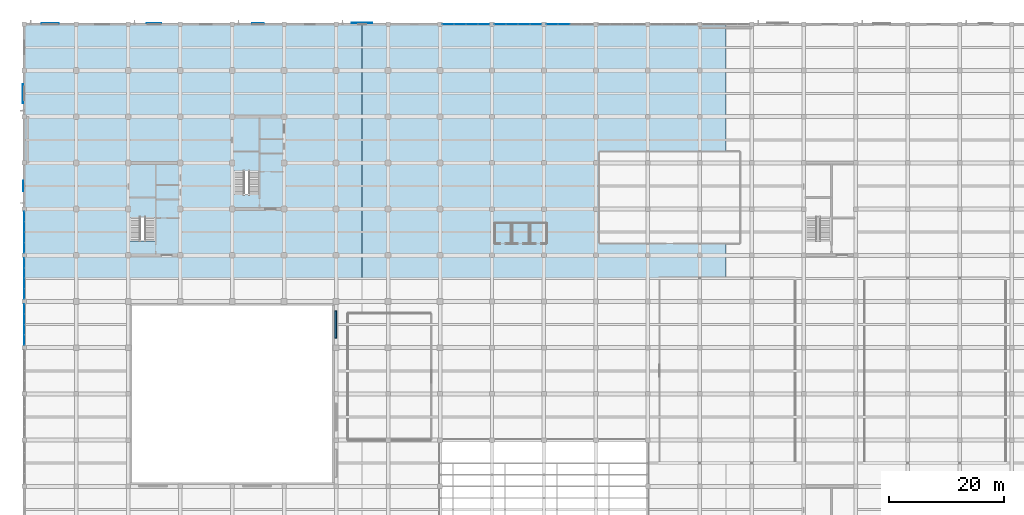
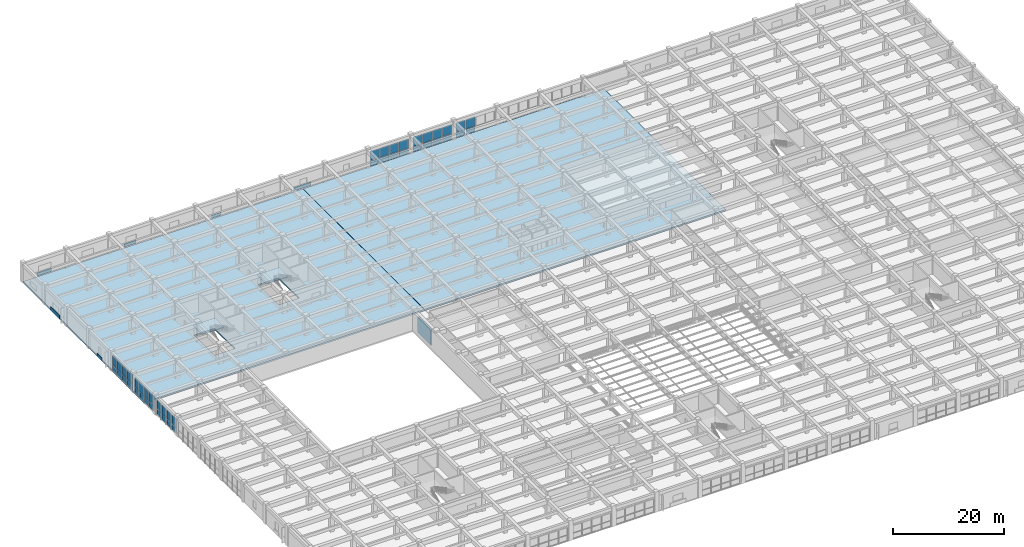
# One storey, part 23 of 50: 51 plates, 4 slabs, 8 elements without a shape of their own.
"""IFC4 building model written with IfcOpenShell, lengths in metres."""

from ifc_helpers import new_model, si_unit, direction, frame, frame_2d, origin, place, context, subcontext, project, spatial, polyline, rectangle, outline, extrude, material, layer, layer_set, type_object, element, aggregate, save


model = new_model("IFC4")

# Units and contexts
model_context = context("Model", 3, precision=1e-05, world=origin(), true_north=direction((0.0, 1.0)))
body_context = subcontext(model_context, "Body", "Model", "MODEL_VIEW")
ifc_project = project(units=[si_unit("LENGTHUNIT", "METRE"), si_unit("AREAUNIT", "SQUARE_METRE"), si_unit("VOLUMEUNIT", "CUBIC_METRE"), si_unit("PLANEANGLEUNIT", "RADIAN"), si_unit("MASSUNIT", "GRAM", prefix="KILO")], contexts=[model_context])

# Site, building, storey
site_placement = place(None, origin())
site = spatial("IfcSite", under=ifc_project, at=site_placement, CompositionType="ELEMENT")
building_placement = place(site_placement, origin())
building = spatial("IfcBuilding", under=site, at=building_placement, Name="Zaverband Oceanarium and Marine Research Institute", CompositionType="ELEMENT")
storey_placement = place(building_placement, frame((0.0, 0.0, 9.0)))
storey = spatial("IfcBuildingStorey", under=building, at=storey_placement, Name="L02", CompositionType="ELEMENT", Elevation=9.0)

# Plate
ifc_material_1 = material(Name="Monolithic cast polymethyl methacrylate (PMMA) viewing acrylic")
ifc_layer_1 = layer(ifc_material_1, 0.320068359375, Name="Monolithic cast polymethyl methacrylate (PMMA) viewing acrylic")
ifc_layer_set_1 = layer_set([ifc_layer_1], Name="Monolithic cast polymethyl methacrylate (PMMA) viewing acrylic")
plate_type_1 = type_object("IfcPlateType", Name="AP-4800x3400x320", PredefinedType="SHEET", material=ifc_layer_set_1)
plate_1_placement = place(storey_placement, frame((53.949951171875, 65.60009765625, 0.0), z_axis=(0.0, 0.0, 1.0), x_axis=(0.0, 1.0, 0.0)))
element("IfcPlate", 1, at=plate_1_placement, inside=storey, type_object=plate_type_1, Name="Monolithic cast-acrylic viewport / tunnel panel AP-4800x3400x320", PredefinedType="SHEET", context=body_context, shape_type="SweptSolid", body=[
    extrude(rectangle(XDim=4.7998046875, YDim=0.320068359375, at=frame_2d((2.39990234375, 0.0))), origin(), (0.0, 0.0, 1.0), 3.39990234375),
])

# Curtain wall, plates
ifc_material_2 = material(Name="Thermally broken anodized aluminium and solar-control glass", Category="aluminium")
curtain_wall_type = type_object("IfcCurtainWallType", Name="CW-UNIT-1800", PredefinedType="NOTDEFINED", material=ifc_material_2)
curtain_wall_1_placement = place(storey_placement, origin())
curtain_wall_1 = element("IfcCurtainWall", 2, at=curtain_wall_1_placement, inside=storey, type_object=curtain_wall_type, Name="Unitised glazed curtain wall CW-055", PredefinedType="NOTDEFINED")
ifc_material_3 = material(Name="Low-E double-glazed solar-control glass", Category="glass")
ifc_layer_2 = layer(ifc_material_3, 0.033935546875, Name="Low-E double-glazed solar-control glass")
ifc_layer_set_2 = layer_set([ifc_layer_2], Name="Low-E double-glazed solar-control glass")
plate_type_2 = type_object("IfcPlateType", Name="CWP-1515x1197", PredefinedType="CURTAIN_PANEL", material=ifc_layer_set_2)
plate_2_placement = place(storey_placement, frame((0.0, 64.485107421875, 0.050048828125), z_axis=(0.0, 0.0, 1.0), x_axis=(0.0, 1.0, 0.0)))
plate_2 = element("IfcPlate", 3, at=plate_2_placement, type_object=plate_type_2, Name="Glazed curtain wall panel CWP-1515x1197", PredefinedType="CURTAIN_PANEL", context=body_context, shape_type="SweptSolid", body=[
    extrude(rectangle(XDim=1.637451171875, YDim=0.033935546875, at=frame_2d((0.81884765625, 0.0))), origin(), (0.0, 0.0, 1.0), 1.197021484375),
])
plate_3_placement = place(storey_placement, frame((0.0, 66.282470703125, 0.050048828125), z_axis=(0.0, 0.0, 1.0), x_axis=(0.0, 1.0, 0.0)))
plate_3 = element("IfcPlate", 4, at=plate_3_placement, type_object=plate_type_2, Name="Glazed curtain wall panel CWP-1515x1197", PredefinedType="CURTAIN_PANEL", context=body_context, shape_type="SweptSolid", body=[
    extrude(rectangle(XDim=1.637451171875, YDim=0.033935546875, at=frame_2d((0.81884765625, 0.0))), origin(), (0.0, 0.0, 1.0), 1.197021484375),
])
plate_4_placement = place(storey_placement, frame((0.0, 68.080078125, 0.050048828125), z_axis=(0.0, 0.0, 1.0), x_axis=(0.0, 1.0, 0.0)))
plate_4 = element("IfcPlate", 5, at=plate_4_placement, type_object=plate_type_2, Name="Glazed curtain wall panel CWP-1515x1197", PredefinedType="CURTAIN_PANEL", context=body_context, shape_type="SweptSolid", body=[
    extrude(rectangle(XDim=1.637451171875, YDim=0.033935546875, at=frame_2d((0.81884765625, 0.0))), origin(), (0.0, 0.0, 1.0), 1.197021484375),
])
plate_5_placement = place(storey_placement, frame((0.0, 69.87744140625, 0.050048828125), z_axis=(0.0, 0.0, 1.0), x_axis=(0.0, 1.0, 0.0)))
plate_5 = element("IfcPlate", 6, at=plate_5_placement, type_object=plate_type_2, Name="Glazed curtain wall panel CWP-1515x1197", PredefinedType="CURTAIN_PANEL", context=body_context, shape_type="SweptSolid", body=[
    extrude(rectangle(XDim=1.637451171875, YDim=0.033935546875, at=frame_2d((0.81884765625, 0.0))), origin(), (0.0, 0.0, 1.0), 1.197021484375),
])

curtain_wall_2_placement = place(storey_placement, origin())
curtain_wall_2 = element("IfcCurtainWall", 7, at=curtain_wall_2_placement, inside=storey, type_object=curtain_wall_type, Name="Unitised glazed curtain wall CW-056", PredefinedType="NOTDEFINED")
plate_6_placement = place(storey_placement, frame((0.0, 72.485107421875, 0.050048828125), z_axis=(0.0, 0.0, 1.0), x_axis=(0.0, 1.0, 0.0)))
plate_6 = element("IfcPlate", 8, at=plate_6_placement, type_object=plate_type_2, Name="Glazed curtain wall panel CWP-1515x1197", PredefinedType="CURTAIN_PANEL", context=body_context, shape_type="SweptSolid", body=[
    extrude(rectangle(XDim=1.637451171875, YDim=0.033935546875, at=frame_2d((0.81884765625, 0.0))), origin(), (0.0, 0.0, 1.0), 1.197021484375),
])
plate_7_placement = place(storey_placement, frame((0.0, 74.282470703125, 0.050048828125), z_axis=(0.0, 0.0, 1.0), x_axis=(0.0, 1.0, 0.0)))
plate_7 = element("IfcPlate", 9, at=plate_7_placement, type_object=plate_type_2, Name="Glazed curtain wall panel CWP-1515x1197", PredefinedType="CURTAIN_PANEL", context=body_context, shape_type="SweptSolid", body=[
    extrude(rectangle(XDim=1.637451171875, YDim=0.033935546875, at=frame_2d((0.81884765625, 0.0))), origin(), (0.0, 0.0, 1.0), 1.197021484375),
])
plate_8_placement = place(storey_placement, frame((0.0, 76.080078125, 0.050048828125), z_axis=(0.0, 0.0, 1.0), x_axis=(0.0, 1.0, 0.0)))
plate_8 = element("IfcPlate", 10, at=plate_8_placement, type_object=plate_type_2, Name="Glazed curtain wall panel CWP-1515x1197", PredefinedType="CURTAIN_PANEL", context=body_context, shape_type="SweptSolid", body=[
    extrude(rectangle(XDim=1.637451171875, YDim=0.033935546875, at=frame_2d((0.81884765625, 0.0))), origin(), (0.0, 0.0, 1.0), 1.197021484375),
])
plate_9_placement = place(storey_placement, frame((0.0, 77.87744140625, 0.050048828125), z_axis=(0.0, 0.0, 1.0), x_axis=(0.0, 1.0, 0.0)))
plate_9 = element("IfcPlate", 11, at=plate_9_placement, type_object=plate_type_2, Name="Glazed curtain wall panel CWP-1515x1197", PredefinedType="CURTAIN_PANEL", context=body_context, shape_type="SweptSolid", body=[
    extrude(rectangle(XDim=1.637451171875, YDim=0.033935546875, at=frame_2d((0.81884765625, 0.0))), origin(), (0.0, 0.0, 1.0), 1.197021484375),
])

curtain_wall_3_placement = place(storey_placement, origin())
curtain_wall_3 = element("IfcCurtainWall", 12, at=curtain_wall_3_placement, inside=storey, type_object=curtain_wall_type, Name="Unitised glazed curtain wall CW-057", PredefinedType="NOTDEFINED")
plate_10_placement = place(storey_placement, frame((0.0, 80.485107421875, 0.050048828125), z_axis=(0.0, 0.0, 1.0), x_axis=(0.0, 1.0, 0.0)))
plate_10 = element("IfcPlate", 13, at=plate_10_placement, type_object=plate_type_2, Name="Glazed curtain wall panel CWP-1515x1197", PredefinedType="CURTAIN_PANEL", context=body_context, shape_type="SweptSolid", body=[
    extrude(rectangle(XDim=1.637451171875, YDim=0.033935546875, at=frame_2d((0.81884765625, 0.0))), origin(), (0.0, 0.0, 1.0), 1.197021484375),
])
plate_11_placement = place(storey_placement, frame((0.0, 82.282470703125, 0.050048828125), z_axis=(0.0, 0.0, 1.0), x_axis=(0.0, 1.0, 0.0)))
plate_11 = element("IfcPlate", 14, at=plate_11_placement, type_object=plate_type_2, Name="Glazed curtain wall panel CWP-1515x1197", PredefinedType="CURTAIN_PANEL", context=body_context, shape_type="SweptSolid", body=[
    extrude(rectangle(XDim=1.637451171875, YDim=0.033935546875, at=frame_2d((0.81884765625, 0.0))), origin(), (0.0, 0.0, 1.0), 1.197021484375),
])
plate_12_placement = place(storey_placement, frame((0.0, 84.080078125, 0.050048828125), z_axis=(0.0, 0.0, 1.0), x_axis=(0.0, 1.0, 0.0)))
plate_12 = element("IfcPlate", 15, at=plate_12_placement, type_object=plate_type_2, Name="Glazed curtain wall panel CWP-1515x1197", PredefinedType="CURTAIN_PANEL", context=body_context, shape_type="SweptSolid", body=[
    extrude(rectangle(XDim=1.637451171875, YDim=0.033935546875, at=frame_2d((0.81884765625, 0.0))), origin(), (0.0, 0.0, 1.0), 1.197021484375),
])
plate_13_placement = place(storey_placement, frame((0.0, 85.87744140625, 0.050048828125), z_axis=(0.0, 0.0, 1.0), x_axis=(0.0, 1.0, 0.0)))
plate_13 = element("IfcPlate", 16, at=plate_13_placement, type_object=plate_type_2, Name="Glazed curtain wall panel CWP-1515x1197", PredefinedType="CURTAIN_PANEL", context=body_context, shape_type="SweptSolid", body=[
    extrude(rectangle(XDim=1.637451171875, YDim=0.033935546875, at=frame_2d((0.81884765625, 0.0))), origin(), (0.0, 0.0, 1.0), 1.197021484375),
])

# Plate
ifc_layer_3 = layer(ifc_material_3, 0.035888671875, Name="Low-E double-glazed solar-control glass")
ifc_layer_set_3 = layer_set([ifc_layer_3], Name="Low-E double-glazed solar-control glass")
plate_type_3 = type_object("IfcPlateType", Name="CWP-1515x2063", PredefinedType="CURTAIN_PANEL", material=ifc_layer_set_3)
plate_14_placement = place(storey_placement, frame((0.0, 64.485107421875, 1.31689453125), z_axis=(0.0, 0.0, 1.0), x_axis=(0.0, 1.0, 0.0)))
plate_14 = element("IfcPlate", 17, at=plate_14_placement, type_object=plate_type_3, Name="Glazed curtain wall panel CWP-1515x2063", PredefinedType="CURTAIN_PANEL", context=body_context, shape_type="SweptSolid", body=[
    extrude(rectangle(XDim=1.637451171875, YDim=0.035888671875, at=frame_2d((0.81884765625, 0.0))), origin(), (0.0, 0.0, 1.0), 2.06298828125),
])

plate_15_placement = place(storey_placement, frame((0.0, 66.282470703125, 1.31689453125), z_axis=(0.0, 0.0, 1.0), x_axis=(0.0, 1.0, 0.0)))
plate_15 = element("IfcPlate", 18, at=plate_15_placement, type_object=plate_type_3, Name="Glazed curtain wall panel CWP-1515x2063", PredefinedType="CURTAIN_PANEL", context=body_context, shape_type="SweptSolid", body=[
    extrude(rectangle(XDim=1.637451171875, YDim=0.035888671875, at=frame_2d((0.81884765625, 0.0))), origin(), (0.0, 0.0, 1.0), 2.06298828125),
])

plate_16_placement = place(storey_placement, frame((0.0, 68.080078125, 1.31689453125), z_axis=(0.0, 0.0, 1.0), x_axis=(0.0, 1.0, 0.0)))
plate_16 = element("IfcPlate", 19, at=plate_16_placement, type_object=plate_type_3, Name="Glazed curtain wall panel CWP-1515x2063", PredefinedType="CURTAIN_PANEL", context=body_context, shape_type="SweptSolid", body=[
    extrude(rectangle(XDim=1.637451171875, YDim=0.035888671875, at=frame_2d((0.81884765625, 0.0))), origin(), (0.0, 0.0, 1.0), 2.06298828125),
])

plate_17_placement = place(storey_placement, frame((0.0, 69.87744140625, 1.31689453125), z_axis=(0.0, 0.0, 1.0), x_axis=(0.0, 1.0, 0.0)))
plate_17 = element("IfcPlate", 20, at=plate_17_placement, type_object=plate_type_3, Name="Glazed curtain wall panel CWP-1515x2063", PredefinedType="CURTAIN_PANEL", context=body_context, shape_type="SweptSolid", body=[
    extrude(rectangle(XDim=1.637451171875, YDim=0.035888671875, at=frame_2d((0.81884765625, 0.0))), origin(), (0.0, 0.0, 1.0), 2.06298828125),
])

aggregate(curtain_wall_1, [plate_2, plate_14, plate_3, plate_15, plate_4, plate_16, plate_5, plate_17])

plate_18_placement = place(storey_placement, frame((0.0, 72.485107421875, 1.31689453125), z_axis=(0.0, 0.0, 1.0), x_axis=(0.0, 1.0, 0.0)))
plate_18 = element("IfcPlate", 21, at=plate_18_placement, type_object=plate_type_3, Name="Glazed curtain wall panel CWP-1515x2063", PredefinedType="CURTAIN_PANEL", context=body_context, shape_type="SweptSolid", body=[
    extrude(rectangle(XDim=1.637451171875, YDim=0.035888671875, at=frame_2d((0.81884765625, 0.0))), origin(), (0.0, 0.0, 1.0), 2.06298828125),
])

plate_19_placement = place(storey_placement, frame((0.0, 74.282470703125, 1.31689453125), z_axis=(0.0, 0.0, 1.0), x_axis=(0.0, 1.0, 0.0)))
plate_19 = element("IfcPlate", 22, at=plate_19_placement, type_object=plate_type_3, Name="Glazed curtain wall panel CWP-1515x2063", PredefinedType="CURTAIN_PANEL", context=body_context, shape_type="SweptSolid", body=[
    extrude(rectangle(XDim=1.637451171875, YDim=0.035888671875, at=frame_2d((0.81884765625, 0.0))), origin(), (0.0, 0.0, 1.0), 2.06298828125),
])

plate_20_placement = place(storey_placement, frame((0.0, 76.080078125, 1.31689453125), z_axis=(0.0, 0.0, 1.0), x_axis=(0.0, 1.0, 0.0)))
plate_20 = element("IfcPlate", 23, at=plate_20_placement, type_object=plate_type_3, Name="Glazed curtain wall panel CWP-1515x2063", PredefinedType="CURTAIN_PANEL", context=body_context, shape_type="SweptSolid", body=[
    extrude(rectangle(XDim=1.637451171875, YDim=0.035888671875, at=frame_2d((0.81884765625, 0.0))), origin(), (0.0, 0.0, 1.0), 2.06298828125),
])

plate_21_placement = place(storey_placement, frame((0.0, 77.87744140625, 1.31689453125), z_axis=(0.0, 0.0, 1.0), x_axis=(0.0, 1.0, 0.0)))
plate_21 = element("IfcPlate", 24, at=plate_21_placement, type_object=plate_type_3, Name="Glazed curtain wall panel CWP-1515x2063", PredefinedType="CURTAIN_PANEL", context=body_context, shape_type="SweptSolid", body=[
    extrude(rectangle(XDim=1.637451171875, YDim=0.035888671875, at=frame_2d((0.81884765625, 0.0))), origin(), (0.0, 0.0, 1.0), 2.06298828125),
])

aggregate(curtain_wall_2, [plate_6, plate_18, plate_7, plate_19, plate_8, plate_20, plate_9, plate_21])

plate_22_placement = place(storey_placement, frame((0.0, 80.485107421875, 1.31689453125), z_axis=(0.0, 0.0, 1.0), x_axis=(0.0, 1.0, 0.0)))
plate_22 = element("IfcPlate", 25, at=plate_22_placement, type_object=plate_type_3, Name="Glazed curtain wall panel CWP-1515x2063", PredefinedType="CURTAIN_PANEL", context=body_context, shape_type="SweptSolid", body=[
    extrude(rectangle(XDim=1.637451171875, YDim=0.035888671875, at=frame_2d((0.81884765625, 0.0))), origin(), (0.0, 0.0, 1.0), 2.06298828125),
])

plate_23_placement = place(storey_placement, frame((0.0, 82.282470703125, 1.31689453125), z_axis=(0.0, 0.0, 1.0), x_axis=(0.0, 1.0, 0.0)))
plate_23 = element("IfcPlate", 26, at=plate_23_placement, type_object=plate_type_3, Name="Glazed curtain wall panel CWP-1515x2063", PredefinedType="CURTAIN_PANEL", context=body_context, shape_type="SweptSolid", body=[
    extrude(rectangle(XDim=1.637451171875, YDim=0.035888671875, at=frame_2d((0.81884765625, 0.0))), origin(), (0.0, 0.0, 1.0), 2.06298828125),
])

plate_24_placement = place(storey_placement, frame((0.0, 84.080078125, 1.31689453125), z_axis=(0.0, 0.0, 1.0), x_axis=(0.0, 1.0, 0.0)))
plate_24 = element("IfcPlate", 27, at=plate_24_placement, type_object=plate_type_3, Name="Glazed curtain wall panel CWP-1515x2063", PredefinedType="CURTAIN_PANEL", context=body_context, shape_type="SweptSolid", body=[
    extrude(rectangle(XDim=1.637451171875, YDim=0.035888671875, at=frame_2d((0.81884765625, 0.0))), origin(), (0.0, 0.0, 1.0), 2.06298828125),
])

plate_25_placement = place(storey_placement, frame((0.0, 85.87744140625, 1.31689453125), z_axis=(0.0, 0.0, 1.0), x_axis=(0.0, 1.0, 0.0)))
plate_25 = element("IfcPlate", 28, at=plate_25_placement, type_object=plate_type_3, Name="Glazed curtain wall panel CWP-1515x2063", PredefinedType="CURTAIN_PANEL", context=body_context, shape_type="SweptSolid", body=[
    extrude(rectangle(XDim=1.637451171875, YDim=0.035888671875, at=frame_2d((0.81884765625, 0.0))), origin(), (0.0, 0.0, 1.0), 2.06298828125),
])

aggregate(curtain_wall_3, [plate_10, plate_22, plate_11, plate_23, plate_12, plate_24, plate_13, plate_25])

# Curtain wall, plates
curtain_wall_4_placement = place(storey_placement, origin())
curtain_wall_4 = element("IfcCurtainWall", 29, at=curtain_wall_4_placement, inside=storey, type_object=curtain_wall_type, Name="Unitised glazed curtain wall CW-046", PredefinedType="NOTDEFINED")
ifc_layer_4 = layer(ifc_material_3, 0.033935546875, Name="Low-E double-glazed solar-control glass")
ifc_layer_set_4 = layer_set([ifc_layer_4], Name="Low-E double-glazed solar-control glass")
plate_type_4 = type_object("IfcPlateType", Name="CWP-1765x1197", PredefinedType="CURTAIN_PANEL", material=ifc_layer_set_4)
plate_26_placement = place(storey_placement, frame((72.485107421875, 120.0, 0.050048828125), z_axis=(0.0, 0.0, 1.0), x_axis=(1.0, 0.0, 0.0)))
plate_26 = element("IfcPlate", 30, at=plate_26_placement, type_object=plate_type_4, Name="Glazed curtain wall panel CWP-1765x1197", PredefinedType="CURTAIN_PANEL", context=body_context, shape_type="SweptSolid", body=[
    extrude(rectangle(XDim=1.887451171875, YDim=0.033935546875, at=frame_2d((0.94384765625, 0.0))), origin(), (0.0, 0.0, 1.0), 1.197021484375),
])
plate_27_placement = place(storey_placement, frame((74.532470703125, 120.0, 0.050048828125), z_axis=(0.0, 0.0, 1.0), x_axis=(1.0, 0.0, 0.0)))
plate_27 = element("IfcPlate", 31, at=plate_27_placement, type_object=plate_type_4, Name="Glazed curtain wall panel CWP-1765x1197", PredefinedType="CURTAIN_PANEL", context=body_context, shape_type="SweptSolid", body=[
    extrude(rectangle(XDim=1.887451171875, YDim=0.033935546875, at=frame_2d((0.94384765625, 0.0))), origin(), (0.0, 0.0, 1.0), 1.197021484375),
])
plate_28_placement = place(storey_placement, frame((76.580078125, 120.0, 0.050048828125), z_axis=(0.0, 0.0, 1.0), x_axis=(1.0, 0.0, 0.0)))
plate_28 = element("IfcPlate", 32, at=plate_28_placement, type_object=plate_type_4, Name="Glazed curtain wall panel CWP-1765x1197", PredefinedType="CURTAIN_PANEL", context=body_context, shape_type="SweptSolid", body=[
    extrude(rectangle(XDim=1.887451171875, YDim=0.033935546875, at=frame_2d((0.94384765625, 0.0))), origin(), (0.0, 0.0, 1.0), 1.197021484375),
])
plate_29_placement = place(storey_placement, frame((78.62744140625, 120.0, 0.050048828125), z_axis=(0.0, 0.0, 1.0), x_axis=(1.0, 0.0, 0.0)))
plate_29 = element("IfcPlate", 33, at=plate_29_placement, type_object=plate_type_4, Name="Glazed curtain wall panel CWP-1765x1197", PredefinedType="CURTAIN_PANEL", context=body_context, shape_type="SweptSolid", body=[
    extrude(rectangle(XDim=1.887451171875, YDim=0.033935546875, at=frame_2d((0.94384765625, 0.0))), origin(), (0.0, 0.0, 1.0), 1.197021484375),
])

curtain_wall_5_placement = place(storey_placement, origin())
curtain_wall_5 = element("IfcCurtainWall", 34, at=curtain_wall_5_placement, inside=storey, type_object=curtain_wall_type, Name="Unitised glazed curtain wall CW-047", PredefinedType="NOTDEFINED")
plate_30_placement = place(storey_placement, frame((81.485107421875, 120.0, 0.050048828125), z_axis=(0.0, 0.0, 1.0), x_axis=(1.0, 0.0, 0.0)))
plate_30 = element("IfcPlate", 35, at=plate_30_placement, type_object=plate_type_4, Name="Glazed curtain wall panel CWP-1765x1197", PredefinedType="CURTAIN_PANEL", context=body_context, shape_type="SweptSolid", body=[
    extrude(rectangle(XDim=1.887451171875, YDim=0.033935546875, at=frame_2d((0.94384765625, 0.0))), origin(), (0.0, 0.0, 1.0), 1.197021484375),
])
plate_31_placement = place(storey_placement, frame((83.532470703125, 120.0, 0.050048828125), z_axis=(0.0, 0.0, 1.0), x_axis=(1.0, 0.0, 0.0)))
plate_31 = element("IfcPlate", 36, at=plate_31_placement, type_object=plate_type_4, Name="Glazed curtain wall panel CWP-1765x1197", PredefinedType="CURTAIN_PANEL", context=body_context, shape_type="SweptSolid", body=[
    extrude(rectangle(XDim=1.887451171875, YDim=0.033935546875, at=frame_2d((0.94384765625, 0.0))), origin(), (0.0, 0.0, 1.0), 1.197021484375),
])
plate_32_placement = place(storey_placement, frame((85.580078125, 120.0, 0.050048828125), z_axis=(0.0, 0.0, 1.0), x_axis=(1.0, 0.0, 0.0)))
plate_32 = element("IfcPlate", 37, at=plate_32_placement, type_object=plate_type_4, Name="Glazed curtain wall panel CWP-1765x1197", PredefinedType="CURTAIN_PANEL", context=body_context, shape_type="SweptSolid", body=[
    extrude(rectangle(XDim=1.887451171875, YDim=0.033935546875, at=frame_2d((0.94384765625, 0.0))), origin(), (0.0, 0.0, 1.0), 1.197021484375),
])
plate_33_placement = place(storey_placement, frame((87.62744140625, 120.0, 0.050048828125), z_axis=(0.0, 0.0, 1.0), x_axis=(1.0, 0.0, 0.0)))
plate_33 = element("IfcPlate", 38, at=plate_33_placement, type_object=plate_type_4, Name="Glazed curtain wall panel CWP-1765x1197", PredefinedType="CURTAIN_PANEL", context=body_context, shape_type="SweptSolid", body=[
    extrude(rectangle(XDim=1.887451171875, YDim=0.033935546875, at=frame_2d((0.94384765625, 0.0))), origin(), (0.0, 0.0, 1.0), 1.197021484375),
])

curtain_wall_6_placement = place(storey_placement, origin())
curtain_wall_6 = element("IfcCurtainWall", 39, at=curtain_wall_6_placement, inside=storey, type_object=curtain_wall_type, Name="Unitised glazed curtain wall CW-048", PredefinedType="NOTDEFINED")
plate_34_placement = place(storey_placement, frame((90.485107421875, 120.0, 0.050048828125), z_axis=(0.0, 0.0, 1.0), x_axis=(1.0, 0.0, 0.0)))
plate_34 = element("IfcPlate", 40, at=plate_34_placement, type_object=plate_type_4, Name="Glazed curtain wall panel CWP-1765x1197", PredefinedType="CURTAIN_PANEL", context=body_context, shape_type="SweptSolid", body=[
    extrude(rectangle(XDim=1.887451171875, YDim=0.033935546875, at=frame_2d((0.94384765625, 0.0))), origin(), (0.0, 0.0, 1.0), 1.197021484375),
])
plate_35_placement = place(storey_placement, frame((92.532470703125, 120.0, 0.050048828125), z_axis=(0.0, 0.0, 1.0), x_axis=(1.0, 0.0, 0.0)))
plate_35 = element("IfcPlate", 41, at=plate_35_placement, type_object=plate_type_4, Name="Glazed curtain wall panel CWP-1765x1197", PredefinedType="CURTAIN_PANEL", context=body_context, shape_type="SweptSolid", body=[
    extrude(rectangle(XDim=1.887451171875, YDim=0.033935546875, at=frame_2d((0.94384765625, 0.0))), origin(), (0.0, 0.0, 1.0), 1.197021484375),
])

# Plate
ifc_layer_5 = layer(ifc_material_3, 0.035888671875, Name="Low-E double-glazed solar-control glass")
ifc_layer_set_5 = layer_set([ifc_layer_5], Name="Low-E double-glazed solar-control glass")
plate_type_5 = type_object("IfcPlateType", Name="CWP-1765x2063", PredefinedType="CURTAIN_PANEL", material=ifc_layer_set_5)
plate_36_placement = place(storey_placement, frame((72.485107421875, 120.0, 1.31689453125), z_axis=(0.0, 0.0, 1.0), x_axis=(1.0, 0.0, 0.0)))
plate_36 = element("IfcPlate", 42, at=plate_36_placement, type_object=plate_type_5, Name="Glazed curtain wall panel CWP-1765x2063", PredefinedType="CURTAIN_PANEL", context=body_context, shape_type="SweptSolid", body=[
    extrude(rectangle(XDim=1.887451171875, YDim=0.035888671875, at=frame_2d((0.94384765625, 0.0))), origin(), (0.0, 0.0, 1.0), 2.06298828125),
])

plate_37_placement = place(storey_placement, frame((74.532470703125, 120.0, 1.31689453125), z_axis=(0.0, 0.0, 1.0), x_axis=(1.0, 0.0, 0.0)))
plate_37 = element("IfcPlate", 43, at=plate_37_placement, type_object=plate_type_5, Name="Glazed curtain wall panel CWP-1765x2063", PredefinedType="CURTAIN_PANEL", context=body_context, shape_type="SweptSolid", body=[
    extrude(rectangle(XDim=1.887451171875, YDim=0.035888671875, at=frame_2d((0.94384765625, 0.0))), origin(), (0.0, 0.0, 1.0), 2.06298828125),
])

plate_38_placement = place(storey_placement, frame((76.580078125, 120.0, 1.31689453125), z_axis=(0.0, 0.0, 1.0), x_axis=(1.0, 0.0, 0.0)))
plate_38 = element("IfcPlate", 44, at=plate_38_placement, type_object=plate_type_5, Name="Glazed curtain wall panel CWP-1765x2063", PredefinedType="CURTAIN_PANEL", context=body_context, shape_type="SweptSolid", body=[
    extrude(rectangle(XDim=1.887451171875, YDim=0.035888671875, at=frame_2d((0.94384765625, 0.0))), origin(), (0.0, 0.0, 1.0), 2.06298828125),
])

plate_39_placement = place(storey_placement, frame((78.62744140625, 120.0, 1.31689453125), z_axis=(0.0, 0.0, 1.0), x_axis=(1.0, 0.0, 0.0)))
plate_39 = element("IfcPlate", 45, at=plate_39_placement, type_object=plate_type_5, Name="Glazed curtain wall panel CWP-1765x2063", PredefinedType="CURTAIN_PANEL", context=body_context, shape_type="SweptSolid", body=[
    extrude(rectangle(XDim=1.887451171875, YDim=0.035888671875, at=frame_2d((0.94384765625, 0.0))), origin(), (0.0, 0.0, 1.0), 2.06298828125),
])

aggregate(curtain_wall_4, [plate_26, plate_36, plate_27, plate_37, plate_28, plate_38, plate_29, plate_39])

plate_40_placement = place(storey_placement, frame((81.485107421875, 120.0, 1.31689453125), z_axis=(0.0, 0.0, 1.0), x_axis=(1.0, 0.0, 0.0)))
plate_40 = element("IfcPlate", 46, at=plate_40_placement, type_object=plate_type_5, Name="Glazed curtain wall panel CWP-1765x2063", PredefinedType="CURTAIN_PANEL", context=body_context, shape_type="SweptSolid", body=[
    extrude(rectangle(XDim=1.887451171875, YDim=0.035888671875, at=frame_2d((0.94384765625, 0.0))), origin(), (0.0, 0.0, 1.0), 2.06298828125),
])

plate_41_placement = place(storey_placement, frame((83.532470703125, 120.0, 1.31689453125), z_axis=(0.0, 0.0, 1.0), x_axis=(1.0, 0.0, 0.0)))
plate_41 = element("IfcPlate", 47, at=plate_41_placement, type_object=plate_type_5, Name="Glazed curtain wall panel CWP-1765x2063", PredefinedType="CURTAIN_PANEL", context=body_context, shape_type="SweptSolid", body=[
    extrude(rectangle(XDim=1.887451171875, YDim=0.035888671875, at=frame_2d((0.94384765625, 0.0))), origin(), (0.0, 0.0, 1.0), 2.06298828125),
])

plate_42_placement = place(storey_placement, frame((85.580078125, 120.0, 1.31689453125), z_axis=(0.0, 0.0, 1.0), x_axis=(1.0, 0.0, 0.0)))
plate_42 = element("IfcPlate", 48, at=plate_42_placement, type_object=plate_type_5, Name="Glazed curtain wall panel CWP-1765x2063", PredefinedType="CURTAIN_PANEL", context=body_context, shape_type="SweptSolid", body=[
    extrude(rectangle(XDim=1.887451171875, YDim=0.035888671875, at=frame_2d((0.94384765625, 0.0))), origin(), (0.0, 0.0, 1.0), 2.06298828125),
])

plate_43_placement = place(storey_placement, frame((87.62744140625, 120.0, 1.31689453125), z_axis=(0.0, 0.0, 1.0), x_axis=(1.0, 0.0, 0.0)))
plate_43 = element("IfcPlate", 49, at=plate_43_placement, type_object=plate_type_5, Name="Glazed curtain wall panel CWP-1765x2063", PredefinedType="CURTAIN_PANEL", context=body_context, shape_type="SweptSolid", body=[
    extrude(rectangle(XDim=1.887451171875, YDim=0.035888671875, at=frame_2d((0.94384765625, 0.0))), origin(), (0.0, 0.0, 1.0), 2.06298828125),
])

aggregate(curtain_wall_5, [plate_30, plate_40, plate_31, plate_41, plate_32, plate_42, plate_33, plate_43])

plate_44_placement = place(storey_placement, frame((90.485107421875, 120.0, 1.31689453125), z_axis=(0.0, 0.0, 1.0), x_axis=(1.0, 0.0, 0.0)))
plate_44 = element("IfcPlate", 50, at=plate_44_placement, type_object=plate_type_5, Name="Glazed curtain wall panel CWP-1765x2063", PredefinedType="CURTAIN_PANEL", context=body_context, shape_type="SweptSolid", body=[
    extrude(rectangle(XDim=1.887451171875, YDim=0.035888671875, at=frame_2d((0.94384765625, 0.0))), origin(), (0.0, 0.0, 1.0), 2.06298828125),
])

plate_45_placement = place(storey_placement, frame((92.532470703125, 120.0, 1.31689453125), z_axis=(0.0, 0.0, 1.0), x_axis=(1.0, 0.0, 0.0)))
plate_45 = element("IfcPlate", 51, at=plate_45_placement, type_object=plate_type_5, Name="Glazed curtain wall panel CWP-1765x2063", PredefinedType="CURTAIN_PANEL", context=body_context, shape_type="SweptSolid", body=[
    extrude(rectangle(XDim=1.887451171875, YDim=0.035888671875, at=frame_2d((0.94384765625, 0.0))), origin(), (0.0, 0.0, 1.0), 2.06298828125),
])

aggregate(curtain_wall_6, [plate_34, plate_44, plate_35, plate_45])

# Plates
ifc_material_4 = material(Name="Concrete C40/50 precast ochre", Category="concrete")
ifc_layer_6 = layer(ifc_material_4, 0.070068359375, Name="Concrete C40/50 precast ochre")
ifc_layer_set_6 = layer_set([ifc_layer_6], Name="Concrete C40/50 precast ochre")
plate_type_6 = type_object("IfcPlateType", Name="FRP-1750x700", PredefinedType="USERDEFINED", material=ifc_layer_set_6)
plate_46_placement = place(storey_placement, frame((-0.1650390625, 91.125, 0.0), z_axis=(0.0, 0.0, 1.0), x_axis=(0.0, 1.0, 0.0)))
element("IfcPlate", 52, at=plate_46_placement, inside=storey, type_object=plate_type_6, Name="Geometric precast facade cladding panel FRP-1750x700", ObjectType="FLANGE_PLATE", PredefinedType="USERDEFINED", context=body_context, shape_type="SweptSolid", body=[
    extrude(rectangle(XDim=1.75, YDim=0.070068359375, at=frame_2d((0.875, 0.0))), origin(), (0.0, 0.0, 1.0), 0.699951171875),
])
ifc_layer_7 = layer(ifc_material_4, 0.070068359375, Name="Concrete C40/50 precast ochre")
ifc_layer_set_7 = layer_set([ifc_layer_7], Name="Concrete C40/50 precast ochre")
plate_type_7 = type_object("IfcPlateType", Name="FRP-2000x720", PredefinedType="USERDEFINED", material=ifc_layer_set_7)
plate_47_placement = place(storey_placement, frame((39.5, 120.1650390625, 0.0), z_axis=(0.0, 0.0, 1.0), x_axis=(1.0, 0.0, 0.0)))
element("IfcPlate", 53, at=plate_47_placement, inside=storey, type_object=plate_type_7, Name="Geometric precast facade cladding panel FRP-2000x720", ObjectType="FLANGE_PLATE", PredefinedType="USERDEFINED", context=body_context, shape_type="SweptSolid", body=[
    extrude(rectangle(XDim=2.0, YDim=0.070068359375, at=frame_2d((1.0, 0.0))), origin(), (0.0, 0.0, 1.0), 0.719970703125),
])
ifc_layer_8 = layer(ifc_material_4, 0.074951171875, Name="Concrete C40/50 precast ochre")
ifc_layer_set_8 = layer_set([ifc_layer_8], Name="Concrete C40/50 precast ochre")
plate_type_8 = type_object("IfcPlateType", Name="FRP-2500x750", PredefinedType="USERDEFINED", material=ifc_layer_set_8)
plate_48_placement = place(storey_placement, frame((21.25, 120.1923828125, 0.0), z_axis=(0.0, 0.0, 1.0), x_axis=(1.0, 0.0, 0.0)))
element("IfcPlate", 54, at=plate_48_placement, inside=storey, type_object=plate_type_8, Name="Geometric precast facade cladding panel FRP-2500x750", ObjectType="FLANGE_PLATE", PredefinedType="USERDEFINED", context=body_context, shape_type="SweptSolid", body=[
    extrude(rectangle(XDim=2.5, YDim=0.074951171875, at=frame_2d((1.25, 0.0))), origin(), (0.0, 0.0, 1.0), 0.75),
])
ifc_layer_9 = layer(ifc_material_4, 0.080078125, Name="Concrete C40/50 precast ochre")
ifc_layer_set_9 = layer_set([ifc_layer_9], Name="Concrete C40/50 precast ochre")
plate_type_9 = type_object("IfcPlateType", Name="FRP-3000x780", PredefinedType="USERDEFINED", material=ifc_layer_set_9)
plate_49_placement = place(storey_placement, frame((3.0, 120.169921875, 0.0), z_axis=(0.0, 0.0, 1.0), x_axis=(1.0, 0.0, 0.0)))
element("IfcPlate", 55, at=plate_49_placement, inside=storey, type_object=plate_type_9, Name="Geometric precast facade cladding panel FRP-3000x780", ObjectType="FLANGE_PLATE", PredefinedType="USERDEFINED", context=body_context, shape_type="SweptSolid", body=[
    extrude(rectangle(XDim=3.0, YDim=0.080078125, at=frame_2d((1.5, 0.0))), origin(), (0.0, 0.0, 1.0), 0.780029296875),
])
ifc_layer_10 = layer(ifc_material_4, 0.0849609375, Name="Concrete C40/50 precast ochre")
ifc_layer_set_10 = layer_set([ifc_layer_10], Name="Concrete C40/50 precast ochre")
plate_type_10 = type_object("IfcPlateType", Name="FRP-3300x800", PredefinedType="USERDEFINED", material=ifc_layer_set_10)
plate_50_placement = place(storey_placement, frame((-0.1826171875, 106.35009765625, 0.0), z_axis=(0.0, 0.0, 1.0), x_axis=(0.0, 1.0, 0.0)))
element("IfcPlate", 56, at=plate_50_placement, inside=storey, type_object=plate_type_10, Name="Geometric precast facade cladding panel FRP-3300x800", ObjectType="FLANGE_PLATE", PredefinedType="USERDEFINED", context=body_context, shape_type="SweptSolid", body=[
    extrude(rectangle(XDim=3.2998046875, YDim=0.0849609375, at=frame_2d((1.64990234375, 0.0))), origin(), (0.0, 0.0, 1.0), 0.800048828125),
])
ifc_layer_11 = layer(ifc_material_4, 0.0849609375, Name="Concrete C40/50 precast ochre")
ifc_layer_set_11 = layer_set([ifc_layer_11], Name="Concrete C40/50 precast ochre")
plate_type_11 = type_object("IfcPlateType", Name="FRP-3600x800", PredefinedType="USERDEFINED", material=ifc_layer_set_11)
plate_51_placement = place(storey_placement, frame((56.699951171875, 120.197509765625, 0.0), z_axis=(0.0, 0.0, 1.0), x_axis=(1.0, 0.0, 0.0)))
element("IfcPlate", 57, at=plate_51_placement, inside=storey, type_object=plate_type_11, Name="Geometric precast facade cladding panel FRP-3600x800", ObjectType="FLANGE_PLATE", PredefinedType="USERDEFINED", context=body_context, shape_type="SweptSolid", body=[
    extrude(rectangle(XDim=3.60009765625, YDim=0.0849609375, at=frame_2d((1.800048828125, 0.0))), origin(), (0.0, 0.0, 1.0), 0.800048828125),
])

# Slabs
ifc_material_5 = material(Name="Concrete C40/50", Category="concrete")
ifc_layer_12 = layer(ifc_material_5, 0.320068359375, Name="Concrete C40/50")
ifc_layer_set_12 = layer_set([ifc_layer_12], Name="Concrete C40/50")
slab_type_1 = type_object("IfcSlabType", Name="SLB-GAL-320", PredefinedType="FLOOR", material=ifc_layer_set_12)
slab_1_placement = place(storey_placement, frame((0.0, 0.0, -0.320068359375)))
element("IfcSlab", 58, at=slab_1_placement, inside=storey, type_object=slab_type_1, Name="Suspended floor slab SLB-GAL-320", PredefinedType="FLOOR", context=body_context, shape_type="SweptSolid", body=[
    extrude(outline(polyline([(0.0, 120.0), (58.485107421875, 120.0), (58.485107421875, 76.014892578125), (0.0, 76.014892578125), (0.0, 120.0)]), holes=[polyline([(22.64990234375, 89.85009765625), (18.35009765625, 89.85009765625), (18.35009765625, 82.5), (22.64990234375, 82.5), (22.64990234375, 89.85009765625)]), polyline([(40.64990234375, 97.85009765625), (36.35009765625, 97.85009765625), (36.35009765625, 90.5), (40.64990234375, 90.5), (40.64990234375, 97.85009765625)])]), origin(), (0.0, 0.0, 1.0), 0.320068359375),
])
slab_2_placement = place(storey_placement, frame((0.0, 0.0, -0.320068359375)))
element("IfcSlab", 59, at=slab_2_placement, inside=storey, type_object=slab_type_1, Name="Suspended floor slab SLB-GAL-320", PredefinedType="FLOOR", context=body_context, shape_type="SweptSolid", body=[
    extrude(outline(polyline([(58.514892578125, 120.0), (121.485107421875, 120.0), (121.485107421875, 76.014892578125), (58.514892578125, 76.014892578125), (58.514892578125, 120.0)])), origin(), (0.0, 0.0, 1.0), 0.320068359375),
])

# Stair, slab
stair_type = type_object("IfcStairType", Name="STR-TWR-1650-4500", PredefinedType="HALF_TURN_STAIR", material=ifc_material_5)
stair_1_placement = place(storey_placement, origin())
stair_1 = element("IfcStair", 60, at=stair_1_placement, inside=storey, type_object=stair_type, Name="Exit Stair ST-01 (L02)", PredefinedType="HALF_TURN_STAIR")
ifc_layer_13 = layer(ifc_material_5, 0.199951171875, Name="Concrete C40/50")
ifc_layer_set_13 = layer_set([ifc_layer_13], Name="Concrete C40/50")
slab_type_2 = type_object("IfcSlabType", Name="SLB-LND-200", PredefinedType="LANDING", material=ifc_layer_set_13)
slab_3_placement = place(storey_placement, frame((0.0, 0.0, 2.050048828125)))
slab_3 = element("IfcSlab", 61, at=slab_3_placement, type_object=slab_type_2, Name="Stair / ramp landing slab SLB-LND-200", PredefinedType="LANDING", context=body_context, shape_type="SweptSolid", body=[
    extrude(outline(polyline([(18.139892578125, 86.570068359375), (22.735107421875, 86.570068359375), (22.735107421875, 89.93505859375), (18.139892578125, 89.93505859375), (18.139892578125, 86.570068359375)])), origin(), (0.0, 0.0, 1.0), 0.199951171875),
])
aggregate(stair_1, [slab_3])

stair_2_placement = place(storey_placement, origin())
stair_2 = element("IfcStair", 62, at=stair_2_placement, inside=storey, type_object=stair_type, Name="Exit Stair ST-02 (L02)", PredefinedType="HALF_TURN_STAIR")
slab_4_placement = place(storey_placement, frame((0.0, 0.0, 2.050048828125)))
slab_4 = element("IfcSlab", 63, at=slab_4_placement, type_object=slab_type_2, Name="Stair / ramp landing slab SLB-LND-200", PredefinedType="LANDING", context=body_context, shape_type="SweptSolid", body=[
    extrude(outline(polyline([(36.139892578125, 94.570068359375), (40.735107421875, 94.570068359375), (40.735107421875, 97.93505859375), (36.139892578125, 97.93505859375), (36.139892578125, 94.570068359375)])), origin(), (0.0, 0.0, 1.0), 0.199951171875),
])
aggregate(stair_2, [slab_4])

save(model, "model.ifc")
